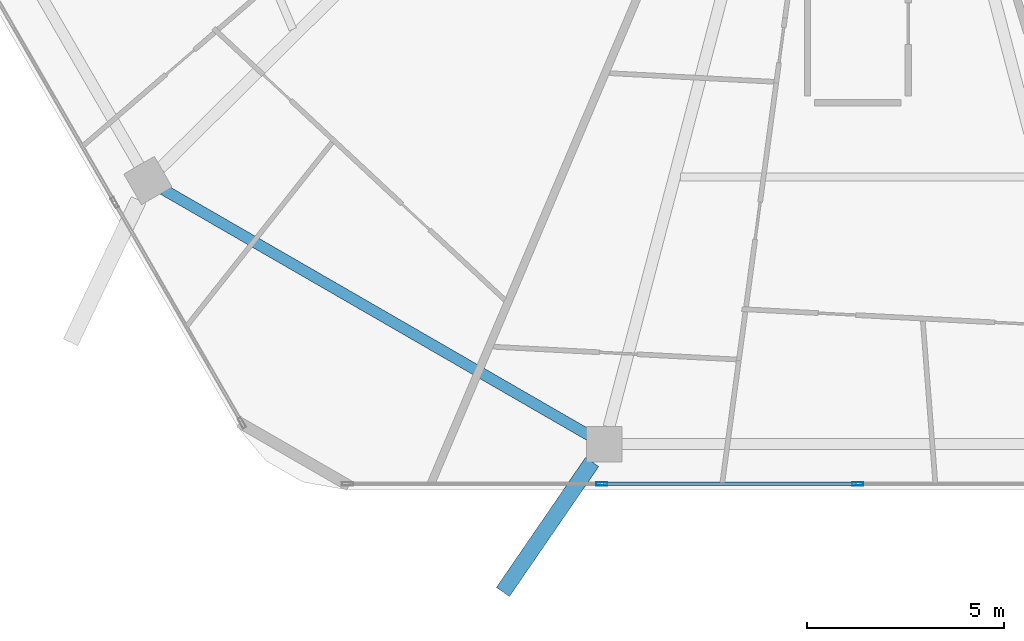
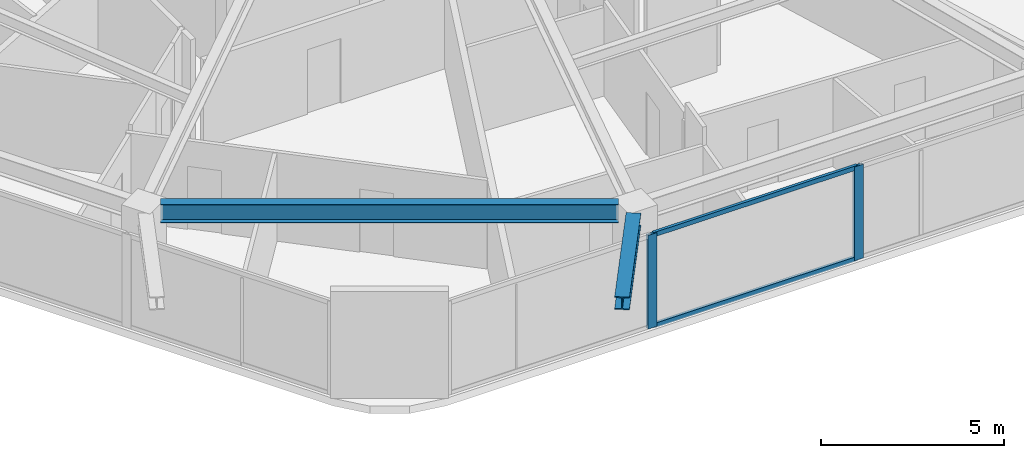
# One storey, part 3 of 25: 4 members, 2 beams, 1 element without a shape of its own.
"""IFC4 building model written with IfcOpenShell, lengths in metres."""

from ifc_helpers import new_model, si_unit, direction, frame, origin, origin_2d, place, context, subcontext, project, spatial, hollow_rectangle, i_section, extrude, material, material_profile, profile_set, type_object, element, aggregate, save


model = new_model("IFC4")

# Units and contexts
model_context = context("Model", 3, precision=1e-05, world=origin(), true_north=direction((0.0, 1.0)))
body_context = subcontext(model_context, "Body", "Model", "MODEL_VIEW")
ifc_project = project(units=[si_unit("LENGTHUNIT", "METRE"), si_unit("AREAUNIT", "SQUARE_METRE"), si_unit("VOLUMEUNIT", "CUBIC_METRE"), si_unit("PLANEANGLEUNIT", "RADIAN"), si_unit("MASSUNIT", "GRAM", prefix="KILO")], contexts=[model_context])

# Site, building, storey
site_placement = place(None, origin())
site = spatial("IfcSite", under=ifc_project, at=site_placement, CompositionType="ELEMENT")
building_placement = place(site_placement, origin())
building = spatial("IfcBuilding", under=site, at=building_placement, Name="Zuhravey Tower", CompositionType="ELEMENT")
storey_placement = place(building_placement, frame((0.0, 0.0, 257.800048828125)))
storey = spatial("IfcBuildingStorey", under=building, at=storey_placement, Name="L65", CompositionType="ELEMENT", Elevation=257.800048828125)

# Curtain wall, members
ifc_material_1 = material(Name="Thermally broken anodised aluminium", Category="aluminium")
curtain_wall_type = type_object("IfcCurtainWallType", Name="Zone 3-4 High-Rise Curtain Wall CW4", PredefinedType="NOTDEFINED", material=ifc_material_1)
curtain_wall_placement = place(storey_placement, origin())
curtain_wall = element("IfcCurtainWall", 1, at=curtain_wall_placement, inside=storey, type_object=curtain_wall_type, Name="L65 CW4 CW-L65-F5-1", PredefinedType="NOTDEFINED")
ifc_material_2 = material(Name="Anodised aluminium", Category="aluminium")
ifc_material_profile_1 = material_profile(ifc_material_2, hollow_rectangle(XDim=0.090087890625, YDim=0.284912109375, WallThickness=0.0048828125, at=origin_2d()), Name="ALU-RHS-90x285x5")
ifc_profile_set_1 = profile_set([ifc_material_profile_1], Name="Anodised aluminium")
member_type_1 = type_object("IfcMemberType", Name="Curtain-Wall Mullion 90x180", PredefinedType="MULLION", material=ifc_profile_set_1)
member_1_placement = place(storey_placement, frame((36.0, 6.436279296875, 0.0), z_axis=(0.0, 0.0, 1.0), x_axis=(0.0, -1.0, 0.0)))
member_1 = element("IfcMember", 2, at=member_1_placement, type_object=member_type_1, Name="CW4 mullion 3", PredefinedType="MULLION", context=body_context, shape_type="SweptSolid", body=[
    extrude(hollow_rectangle(XDim=0.090087890625, YDim=0.284912109375, WallThickness=0.0048828125, at=origin_2d()), origin(), (0.0, 0.0, 1.0), 3.1220703125),
])
member_2_placement = place(storey_placement, frame((29.49365234375, 6.436279296875, 0.0), z_axis=(0.0, 0.0, 1.0), x_axis=(0.0, -1.0, 0.0)))
member_2 = element("IfcMember", 3, at=member_2_placement, type_object=member_type_1, Name="CW4 mullion 4", PredefinedType="MULLION", context=body_context, shape_type="SweptSolid", body=[
    extrude(hollow_rectangle(XDim=0.090087890625, YDim=0.284912109375, WallThickness=0.0048828125, at=origin_2d()), origin(), (0.0, 0.0, 1.0), 3.1220703125),
])
ifc_material_profile_2 = material_profile(ifc_material_2, hollow_rectangle(XDim=0.090087890625, YDim=0.14990234375, WallThickness=0.0048828125, at=origin_2d()), Name="ALU-RHS-90x150x5")
ifc_profile_set_2 = profile_set([ifc_material_profile_2], Name="Anodised aluminium")
member_type_2 = type_object("IfcMemberType", Name="Curtain-Wall Transom 90x150", PredefinedType="USERDEFINED", material=ifc_profile_set_2)
member_3_placement = place(storey_placement, frame((35.955078125, 6.436279296875, 0.044921875), z_axis=(-1.0, 0.0, 0.0), x_axis=(0.0, -1.0, 0.0)))
member_3 = element("IfcMember", 4, at=member_3_placement, type_object=member_type_2, Name="CW4 transom 3.1", ObjectType="TRANSOM", PredefinedType="USERDEFINED", context=body_context, shape_type="SweptSolid", body=[
    extrude(hollow_rectangle(XDim=0.090087890625, YDim=0.14990234375, WallThickness=0.0048828125, at=origin_2d()), origin(), (0.0, 0.0, 1.0), 6.41650390625),
])
member_4_placement = place(storey_placement, frame((35.955078125, 6.436279296875, 3.076904296875), z_axis=(-1.0, 0.0, 0.0), x_axis=(0.0, -1.0, 0.0)))
member_4 = element("IfcMember", 5, at=member_4_placement, type_object=member_type_2, Name="CW4 transom 3.2", ObjectType="TRANSOM", PredefinedType="USERDEFINED", context=body_context, shape_type="SweptSolid", body=[
    extrude(hollow_rectangle(XDim=0.090087890625, YDim=0.14990234375, WallThickness=0.0048828125, at=origin_2d()), origin(), (0.0, 0.0, 1.0), 6.41650390625),
])
aggregate(curtain_wall, [member_1, member_2, member_3, member_4])

# Beams
ifc_material_3 = material(Name="Steel SM460", Category="steel")
ifc_material_profile_3 = material_profile(ifc_material_3, i_section(OverallWidth=0.406982421875, OverallDepth=0.427978515625, WebThickness=0.02001953125, FlangeThickness=0.034912109375, at=origin_2d()), Name="H-428x407x20x35")
ifc_profile_set_3 = profile_set([ifc_material_profile_3], Name="Steel SM460")
beam_type_1 = type_object("IfcBeamType", Name="Exoskeleton Node Tie Beam H428x407", PredefinedType="BEAM", material=ifc_profile_set_3)
beam_1_placement = place(storey_placement, frame((29.247802734375, 6.9931640625, 3.3359375), z_axis=(-0.565936679704, -0.824448709481, 0.0), x_axis=(0.824448709481, -0.565936679704, 0.0)))
element("IfcBeam", 6, at=beam_1_placement, inside=storey, type_object=beam_type_1, Name="L65 Exoskeleton Node Tie NT1-09", PredefinedType="BEAM", context=body_context, shape_type="SweptSolid", body=[
    extrude(i_section(OverallWidth=0.406982421875, OverallDepth=0.427978515625, WebThickness=0.02001953125, FlangeThickness=0.034912109375, at=origin_2d()), origin(), (0.0, 0.0, 1.0), 4.008056640625),
])
ifc_material_4 = material(Name="Steel SM355", Category="steel")
ifc_material_profile_4 = material_profile(ifc_material_4, i_section(OverallWidth=0.280029296875, OverallDepth=0.6201171875, WebThickness=0.011962890625, FlangeThickness=0.02001953125, at=origin_2d()), Name="H-620x280x12x20")
ifc_profile_set_4 = profile_set([ifc_material_profile_4], Name="Steel SM355")
beam_type_2 = type_object("IfcBeamType", Name="Perimeter Ring Beam H620x280", PredefinedType="BEAM", material=ifc_profile_set_4)
beam_2_placement = place(storey_placement, frame((18.3486328125, 13.918701171875, 3.239990234375), z_axis=(0.866025131093, -0.500000472315, 0.0), x_axis=(0.500000472315, 0.866025131093, 0.0)))
element("IfcBeam", 7, at=beam_2_placement, inside=storey, type_object=beam_type_2, Name="L65 PB3 BM-L65-PB-08", PredefinedType="BEAM", context=body_context, shape_type="SweptSolid", body=[
    extrude(i_section(OverallWidth=0.280029296875, OverallDepth=0.6201171875, WebThickness=0.011962890625, FlangeThickness=0.02001953125, at=origin_2d()), origin(), (0.0, 0.0, 1.0), 12.49169921875),
])

save(model, "model.ifc")
